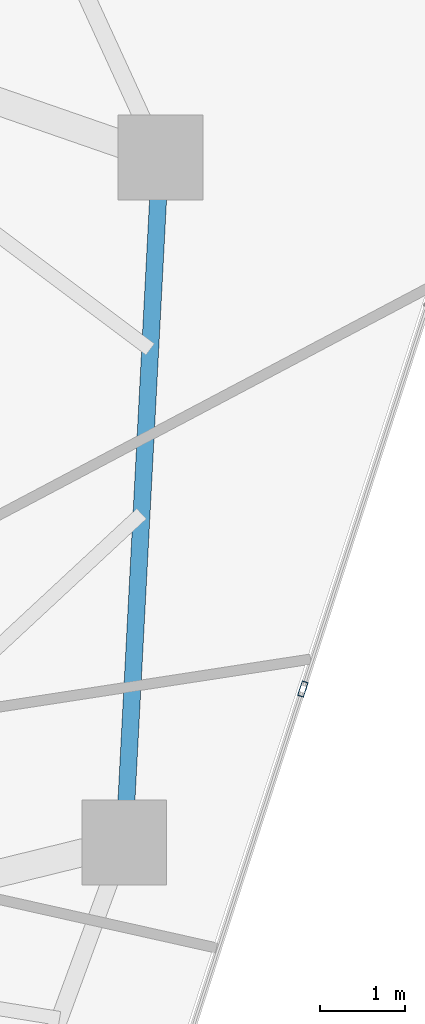
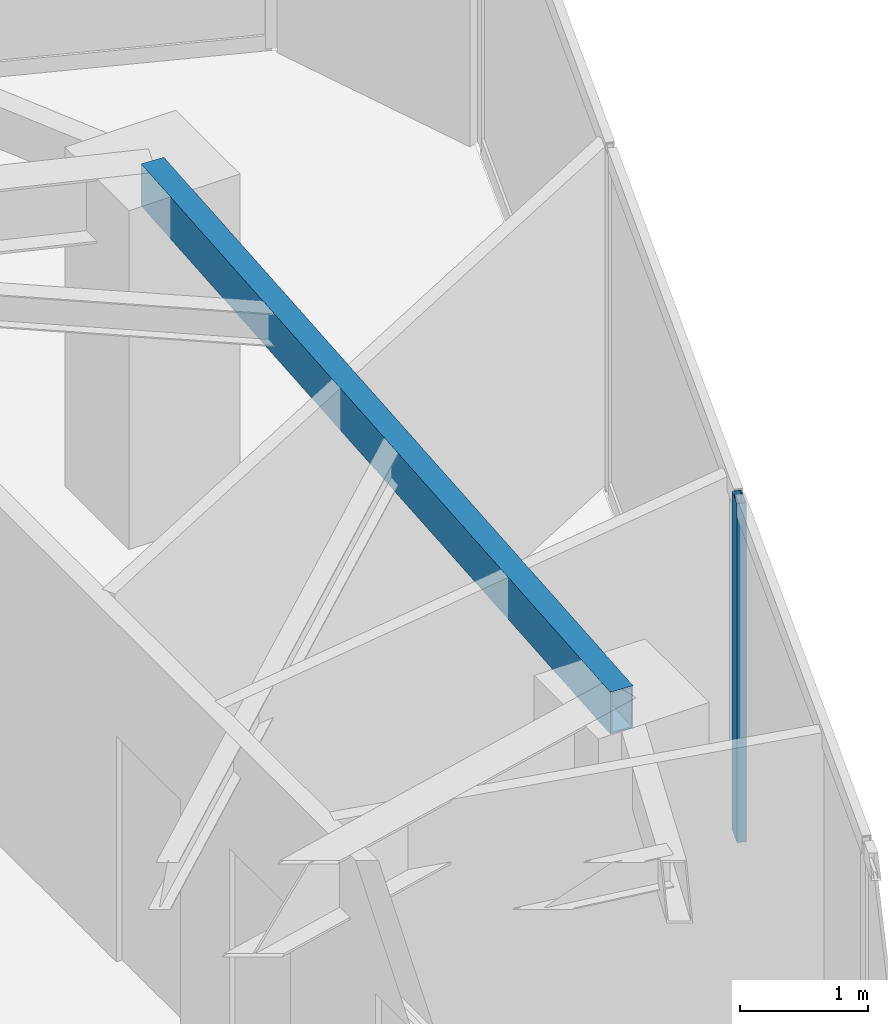
# One storey, part 10 of 19: 1 beam, 1 member, 1 element without a shape of its own.
"""IFC4 building model written with IfcOpenShell, lengths in metres."""

import ifcopenshell
import ifcopenshell.guid

model = None  # the IFC model being written
_history = None  # IfcOwnerHistory: only IFC2X3 demands one
_inside = {}  # id of a spatial element -> (the spatial element, [elements in it])
_under = {}  # id of a project, library or spatial element -> (it, [spatial elements below it])
_declared = {}  # id of a project -> (the project, [libraries it declares])
_typed = {}  # id of a type object -> (the type object, [elements of that type])
_made_of = {}  # id of a material, layer set ... -> (it, [elements and type objects made of it])


def new_model(schema):
    """Start an empty IFC model of exactly this schema.

    Asked for "IFC4X3", IfcOpenShell would pick the latest addendum, in which some entities
    have other attributes; the version numbers below select the first issue.
    IFC2X3 requires an IfcOwnerHistory on every rooted entity: one is made here for all.
    """
    global model, _history
    if schema == "IFC4X3":
        model = ifcopenshell.file(schema_version=(4, 3, 0, 0))
    else:
        model = ifcopenshell.file(schema=schema)
    _inside.clear()
    _under.clear()
    _declared.clear()
    _typed.clear()
    _made_of.clear()
    _history = None
    if model.schema == "IFC2X3":
        org = make("IfcOrganization", Name="unknown")
        user = make(
            "IfcPersonAndOrganization",
            ThePerson=make("IfcPerson", FamilyName="unknown"),
            TheOrganization=org,
        )
        app = make(
            "IfcApplication",
            ApplicationDeveloper=org,
            Version="unknown",
            ApplicationFullName="unknown",
            ApplicationIdentifier="unknown",
        )
        _history = make(
            "IfcOwnerHistory",
            OwningUser=user,
            OwningApplication=app,
            ChangeAction="ADDED",
            CreationDate=0,
        )
    return model


def make(cls, **values):
    """One entity of the class cls with the attributes given. An attribute that is None is left unset."""
    return model.create_entity(
        cls, **{name: value for name, value in values.items() if value is not None}
    )


def rooted(cls, **values):
    """An entity with a GlobalId (a new one), such as an element, a storey or a relation."""
    return make(cls, GlobalId=ifcopenshell.guid.new(), OwnerHistory=_history, **values)


def si_unit(unit_type, name, prefix=None):
    """IfcSIUnit, for example si_unit("LENGTHUNIT", "METRE", prefix="MILLI")."""
    return make("IfcSIUnit", UnitType=unit_type, Prefix=prefix, Name=name)


def assignment(units):
    """IfcUnitAssignment: the units of a project."""
    return None if units is None else make("IfcUnitAssignment", Units=units)


def point(xyz):
    """IfcCartesianPoint."""
    return None if xyz is None else make("IfcCartesianPoint", Coordinates=xyz)


def direction(xyz):
    """IfcDirection."""
    return None if xyz is None else make("IfcDirection", DirectionRatios=xyz)


def frame(location, z_axis=None, x_axis=None):
    """IfcAxis2Placement3D, a coordinate frame: its origin and axes. An axis left out is left unset."""
    return make(
        "IfcAxis2Placement3D",
        Location=point(location),
        Axis=direction(z_axis),
        RefDirection=direction(x_axis),
    )


def frame_2d(location, x_axis=None):
    """IfcAxis2Placement2D, a coordinate frame in the plane: its origin and x axis."""
    return make(
        "IfcAxis2Placement2D", Location=point(location), RefDirection=direction(x_axis)
    )


def origin():
    """The frame at (0, 0, 0) with its axes left unset."""
    return frame((0.0, 0.0, 0.0))


def origin_2d():
    """The frame at (0, 0) in the plane with its x axis left unset."""
    return frame_2d((0.0, 0.0))


def place(relative_to, where):
    """IfcLocalPlacement: puts the frame where relative to a parent placement (None: the world)."""
    return make(
        "IfcLocalPlacement", PlacementRelTo=relative_to, RelativePlacement=where
    )


def context(
    kind, dimensions, precision=None, world=None, true_north=None, identifier=None
):
    """IfcGeometricRepresentationContext, for example the 3D "Model" context."""
    return make(
        "IfcGeometricRepresentationContext",
        ContextIdentifier=identifier,
        ContextType=kind,
        CoordinateSpaceDimension=dimensions,
        Precision=precision,
        WorldCoordinateSystem=world,
        TrueNorth=true_north,
    )


def subcontext(parent, identifier, kind, view, scale=None):
    """IfcGeometricRepresentationSubContext, for example "Body" below "Model"."""
    return make(
        "IfcGeometricRepresentationSubContext",
        ContextIdentifier=identifier,
        ContextType=kind,
        ParentContext=parent,
        TargetScale=scale,
        TargetView=view,
    )


def project(units=None, contexts=None):
    """IfcProject with its units and contexts."""
    return rooted(
        "IfcProject",
        Name="project",
        RepresentationContexts=contexts,
        UnitsInContext=assignment(units),
    )


def spatial(cls, under=None, at=None, **own):
    """A site, building, storey or space (cls), placed at a placement, below another one or the project."""
    s = rooted(cls, ObjectPlacement=at, **own)
    if under is not None:
        _under.setdefault(under.id(), (under, []))[1].append(s)
    return s


def profile(cls, at=None, kind="AREA", **sizes):
    """A parametric profile (cls). Its sizes go by their IFC names, for example OverallWidth=200.0."""
    return make(cls, ProfileType=kind, Position=at, **sizes)


def hollow_rectangle(**sizes):
    """IfcRectangleHollowProfileDef."""
    return profile("IfcRectangleHollowProfileDef", **sizes)


def extrude(swept, where, along, depth):
    """IfcExtrudedAreaSolid: the profile swept, set in the frame where, extruded along a direction by depth."""
    return make(
        "IfcExtrudedAreaSolid",
        SweptArea=swept,
        Position=where,
        ExtrudedDirection=direction(along),
        Depth=depth,
    )


def shape(context_of_items, identifier, shape_type, items):
    """IfcShapeRepresentation: the items that make up one representation, for example the "Body"."""
    return make(
        "IfcShapeRepresentation",
        ContextOfItems=context_of_items,
        RepresentationIdentifier=identifier,
        RepresentationType=shape_type,
        Items=items,
    )


def source(mapping_origin, context_of_items, identifier, shape_type, items):
    """IfcRepresentationMap: a shape defined once, which mapped items show again and again."""
    return make(
        "IfcRepresentationMap",
        MappingOrigin=mapping_origin,
        MappedRepresentation=shape(context_of_items, identifier, shape_type, items),
    )


def transform(
    local_origin,
    x_axis=None,
    y_axis=None,
    z_axis=None,
    scale=None,
    scale2=None,
    scale3=None,
    uniform=True,
):
    """IfcCartesianTransformationOperator3D, or its non-uniform kind. x_axis, y_axis, z_axis: its Axis1, 2, 3."""
    if uniform:
        return make(
            "IfcCartesianTransformationOperator3D",
            Axis1=direction(x_axis),
            Axis2=direction(y_axis),
            LocalOrigin=point(local_origin),
            Scale=scale,
            Axis3=direction(z_axis),
        )
    return make(
        "IfcCartesianTransformationOperator3DnonUniform",
        Axis1=direction(x_axis),
        Axis2=direction(y_axis),
        LocalOrigin=point(local_origin),
        Scale=scale,
        Axis3=direction(z_axis),
        Scale2=scale2,
        Scale3=scale3,
    )


def mapped(mapping_source, mapping_target):
    """IfcMappedItem: shows the shape of a source again, moved by a transform."""
    return make(
        "IfcMappedItem", MappingSource=mapping_source, MappingTarget=mapping_target
    )


def material(Name=None, Category=None):
    """IfcMaterial."""
    return make("IfcMaterial", Name=Name, Category=Category)


def layer(
    of_material, thickness, ventilated=None, Name=None, Category=None, Priority=None
):
    """IfcMaterialLayer: one layer of a wall or slab, of a material (None: an air gap)."""
    return make(
        "IfcMaterialLayer",
        Material=of_material,
        LayerThickness=thickness,
        IsVentilated=ventilated,
        Name=Name,
        Category=Category,
        Priority=Priority,
    )


def layer_set(layers, Name=None):
    """IfcMaterialLayerSet."""
    return make("IfcMaterialLayerSet", MaterialLayers=layers, LayerSetName=Name)


def material_profile(
    of_material, cross_section, Name=None, Category=None, Priority=None
):
    """IfcMaterialProfile: a cross section and its material."""
    return make(
        "IfcMaterialProfile",
        Name=Name,
        Material=of_material,
        Profile=cross_section,
        Priority=Priority,
        Category=Category,
    )


def profile_set(profiles, Name=None, composite=None):
    """IfcMaterialProfileSet."""
    return make(
        "IfcMaterialProfileSet",
        Name=Name,
        MaterialProfiles=profiles,
        CompositeProfile=composite,
    )


def made_of(thing, what):
    """Note that an element or type object is made of a material, layer set ...; save() writes the relation."""
    if what is not None:
        _made_of.setdefault(what.id(), (what, []))[1].append(thing)
    return thing


def type_object(cls, material=None, **own):
    """A type object (cls), such as IfcWallType, which elements share."""
    return made_of(rooted(cls, **own), material)


def type_shapes(of_type, sources):
    """Give a type object the sources (RepresentationMaps) that its elements show as mapped items."""
    of_type.RepresentationMaps = sources


def element(
    cls,
    number,
    at=None,
    inside=None,
    cuts=None,
    type_object=None,
    material=None,
    context=None,
    identifier="Body",
    shape_type=None,
    held_by="IfcProductDefinitionShape",
    body=None,
    shapes=None,
    **own,
):
    """One element of the class cls, such as IfcWall. Its Tag is "e" and its number.

    at: its placement. inside: the storey or other place that contains it. cuts: it is an
    opening in that element (IfcRelVoidsElement). A single representation is given by context,
    identifier, shape_type and body (its items); several are given by shapes. held_by: the class
    of the entity that holds the representations. save() writes the other relations.
    """
    e = rooted(cls, Tag="e%d" % number, ObjectPlacement=at, **own)
    if body is not None:
        shapes = [shape(context, identifier, shape_type, body)]
    if shapes is not None:
        e.Representation = make(held_by, Representations=shapes)
    if inside is not None:
        _inside.setdefault(inside.id(), (inside, []))[1].append(e)
    if cuts is not None:
        rooted(
            "IfcRelVoidsElement", RelatingBuildingElement=cuts, RelatedOpeningElement=e
        )
    if type_object is not None:
        _typed.setdefault(type_object.id(), (type_object, []))[1].append(e)
    return made_of(e, material)


def aggregate(whole, parts):
    """IfcRelAggregates: a whole, such as a stair, and the parts it consists of."""
    return rooted("IfcRelAggregates", RelatingObject=whole, RelatedObjects=parts)


def save(model, path):
    """Write the relations noted so far, then the file.

    IfcRelAggregates (storeys below a building ...), IfcRelContainedInSpatialStructure (elements
    in a storey), IfcRelDefinesByType, IfcRelAssociatesMaterial and IfcRelDeclares: one each for
    every whole, place, type object, material and project.
    """
    for whole, parts in _under.values():
        aggregate(whole, parts)
    for where, things in _inside.values():
        rooted(
            "IfcRelContainedInSpatialStructure",
            RelatedElements=things,
            RelatingStructure=where,
        )
    for kind, things in _typed.values():
        rooted("IfcRelDefinesByType", RelatedObjects=things, RelatingType=kind)
    for what, things in _made_of.values():
        rooted("IfcRelAssociatesMaterial", RelatedObjects=things, RelatingMaterial=what)
    for by, libraries in _declared.values():
        rooted("IfcRelDeclares", RelatingContext=by, RelatedDefinitions=libraries)
    model.write(path)


model = new_model("IFC4")

# Units and contexts
model_context = context("Model", 3, precision=1e-05, world=origin(), true_north=direction((0.0, 1.0)))
body_context = subcontext(model_context, "Body", "Model", "MODEL_VIEW")
ifc_project = project(units=[si_unit("LENGTHUNIT", "METRE"), si_unit("AREAUNIT", "SQUARE_METRE"), si_unit("VOLUMEUNIT", "CUBIC_METRE"), si_unit("PLANEANGLEUNIT", "RADIAN"), si_unit("MASSUNIT", "GRAM", prefix="KILO")], contexts=[model_context])

# Site, building, storey
site_placement = place(None, origin())
site = spatial("IfcSite", under=ifc_project, at=site_placement, CompositionType="ELEMENT")
building_placement = place(site_placement, origin())
building = spatial("IfcBuilding", under=site, at=building_placement, Name="Talar Marvaseh", CompositionType="ELEMENT")
storey_placement = place(building_placement, frame((0.0, 0.0, 174.0)))
storey = spatial("IfcBuildingStorey", under=building, at=storey_placement, Name="L45", CompositionType="ELEMENT", Elevation=174.0)

# Beam
ifc_material_1 = material(Name="Steel S355", Category="steel")
ifc_material_profile_1 = material_profile(ifc_material_1, hollow_rectangle(XDim=0.199951171875, YDim=0.39990234375, WallThickness=0.013916015625, at=origin_2d()), Name="RHS400x200x14")
ifc_profile_set_1 = profile_set([ifc_material_profile_1], Name="Steel S355")
beam_type = type_object("IfcBeamType", Name="Zone 3 Perimeter Spandrel Beam RHS400x200x14", PredefinedType="SPANDREL", material=ifc_profile_set_1)
beam_placement = place(storey_placement, frame((39.113037109375, 34.884033203125, 3.030029296875), z_axis=(-0.052541369293, -0.998618748328, 0.0), x_axis=(0.998618748328, -0.052541369293, 0.0)))
element("IfcBeam", 1, at=beam_placement, inside=storey, type_object=beam_type, Name="L45 Zone 3 Perimeter Spandrel Beam RHS400x200x14", PredefinedType="SPANDREL", context=body_context, shape_type="SweptSolid", body=[
    extrude(hollow_rectangle(XDim=0.199951171875, YDim=0.39990234375, WallThickness=0.013916015625, at=origin_2d()), origin(), (0.0, 0.0, 1.0), 8.0712890625),
])

# Curtain wall, member
ifc_material_2 = material(Name="Architectural Aluminium", Category="aluminium")
ifc_layer = layer(ifc_material_2, 0.18994140625)
ifc_layer_set = layer_set([ifc_layer], Name="Architectural Aluminium")
curtain_wall_type = type_object("IfcCurtainWallType", Name="Unitised Solar Atelier Curtain Wall Z3", PredefinedType="NOTDEFINED", material=ifc_layer_set)
curtain_wall_placement = place(storey_placement, origin())
curtain_wall = element("IfcCurtainWall", 2, at=curtain_wall_placement, inside=storey, type_object=curtain_wall_type, Name="L45 Unitised Solar Atelier Curtain Wall Z3", PredefinedType="NOTDEFINED")
ifc_material_profile_2 = material_profile(ifc_material_2, hollow_rectangle(XDim=0.074951171875, YDim=0.179931640625, WallThickness=0.0048828125, at=origin_2d()), Name="RHS180x75x5")
ifc_profile_set_2 = profile_set([ifc_material_profile_2], Name="Architectural Aluminium")
member_type = type_object("IfcMemberType", Name="Unitised Curtain Wall Standard Mullion RHS180x75x5", PredefinedType="MULLION", material=ifc_profile_set_2)
shared_shape = source(origin(), body_context, "Body", "SweptSolid", [
    extrude(hollow_rectangle(XDim=0.074951171875, YDim=0.179931640625, WallThickness=0.0048828125, at=origin_2d()), origin(), (0.0, 0.0, 1.0), 3.22998046875),
])
type_shapes(member_type, [shared_shape])
member_placement = place(storey_placement, frame((40.791015625, 28.62939453125, 0.0), z_axis=(0.0, 0.0, 1.0), x_axis=(0.95100876715, -0.30916391252, 0.0)))
member = element("IfcMember", 3, at=member_placement, type_object=member_type, Name="CW-Z3 mullion 3", PredefinedType="MULLION", context=body_context, shape_type="MappedRepresentation", body=[
    mapped(shared_shape, transform((0.0, 0.0, 0.0), x_axis=(1.0, 0.0, 0.0), y_axis=(0.0, 1.0, 0.0), z_axis=(0.0, 0.0, 1.0), scale=1.0)),
])
aggregate(curtain_wall, [member])

save(model, "model.ifc")
